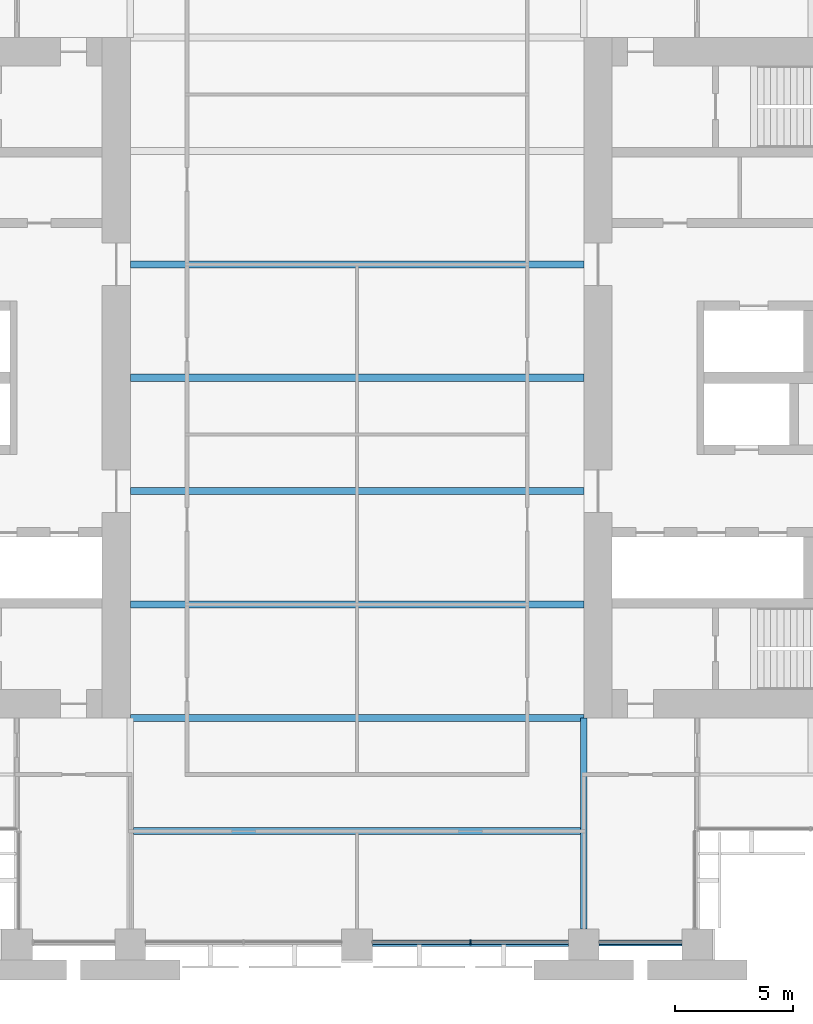
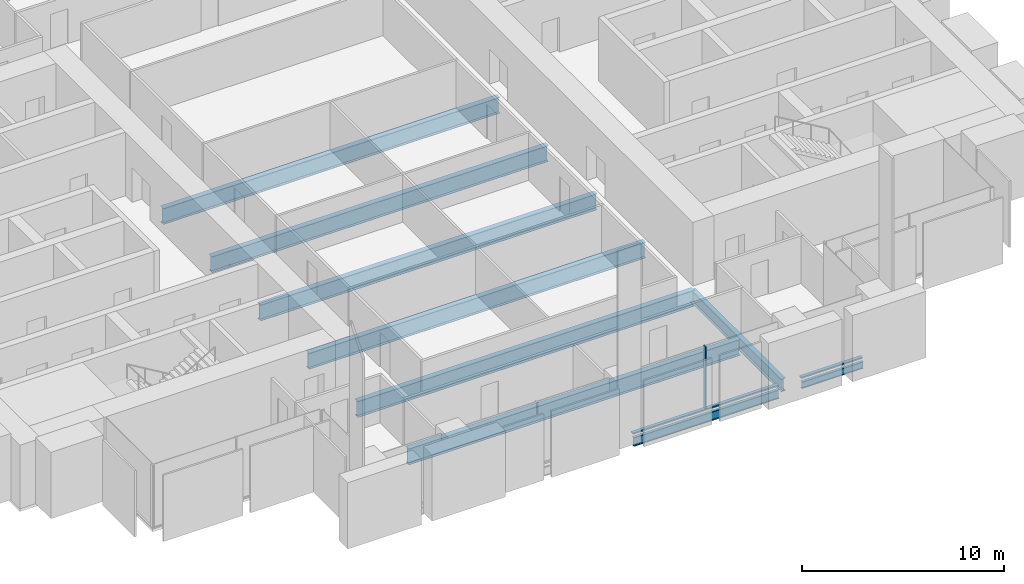
# One storey, part 3 of 14: 9 beams, 3 members, 1 element without a shape of its own.
"""IFC4 building model written with IfcOpenShell, lengths in metres."""

from ifc_helpers import new_model, si_unit, direction, frame, origin, origin_2d, place, context, subcontext, project, spatial, rectangle, i_section, extrude, material, material_profile, profile_set, type_object, element, aggregate, save


model = new_model("IFC4")

# Units and contexts
model_context = context("Model", 3, precision=1e-05, world=origin(), true_north=direction((0.0, 1.0)))
body_context = subcontext(model_context, "Body", "Model", "MODEL_VIEW")
ifc_project = project(units=[si_unit("LENGTHUNIT", "METRE"), si_unit("AREAUNIT", "SQUARE_METRE"), si_unit("VOLUMEUNIT", "CUBIC_METRE"), si_unit("PLANEANGLEUNIT", "RADIAN"), si_unit("MASSUNIT", "GRAM", prefix="KILO")], contexts=[model_context])

# Site, building, storey
site_placement = place(None, origin())
site = spatial("IfcSite", under=ifc_project, at=site_placement, CompositionType="ELEMENT")
building_placement = place(site_placement, origin())
building = spatial("IfcBuilding", under=site, at=building_placement, Name="Baori Bourse Tower", CompositionType="ELEMENT")
storey_placement = place(building_placement, frame((0.0, 0.0, 75.0)))
storey = spatial("IfcBuildingStorey", under=building, at=storey_placement, Name="L16", CompositionType="ELEMENT", Elevation=75.0)

# Curtain wall, members
ifc_material_1 = material(Name="Pale anodised aluminium", Category="aluminium")
curtain_wall_type = type_object("IfcCurtainWallType", Name="CW1 Curtain wall", PredefinedType="NOTDEFINED", material=ifc_material_1)
curtain_wall_placement = place(storey_placement, origin())
curtain_wall = element("IfcCurtainWall", 1, at=curtain_wall_placement, inside=storey, type_object=curtain_wall_type, Name="Curtain wall CW1 L16 11", PredefinedType="NOTDEFINED")
ifc_material_2 = material(Name="Pale anodised aluminium", Category="aluminium")
ifc_material_profile_1 = material_profile(ifc_material_2, rectangle(XDim=0.199951171875, YDim=0.06005859375, at=origin_2d()), Name="Mullion 60x200")
ifc_profile_set_1 = profile_set([ifc_material_profile_1], Name="Pale anodised aluminium")
member_type_1 = type_object("IfcMemberType", Name="CW1 Curtain wall mullion", PredefinedType="MULLION", material=ifc_profile_set_1)
member_1_placement = place(storey_placement, frame((33.60009765625, 0.10009765625, 0.080078125), z_axis=(0.0, 0.0, 1.0), x_axis=(0.0, 1.0, 0.0)))
member_1 = element("IfcMember", 2, at=member_1_placement, type_object=member_type_1, Name="Curtain wall CW1 mullion", PredefinedType="MULLION", context=body_context, shape_type="SweptSolid", body=[
    extrude(rectangle(XDim=0.199951171875, YDim=0.06005859375, at=origin_2d()), origin(), (0.0, 0.0, 1.0), 3.760009765625),
])
ifc_material_3 = material(Name="Pale anodised aluminium", Category="aluminium")
ifc_material_profile_2 = material_profile(ifc_material_3, rectangle(XDim=0.199951171875, YDim=0.080078125, at=origin_2d()), Name="Transom 80x200")
ifc_profile_set_2 = profile_set([ifc_material_profile_2], Name="Pale anodised aluminium")
member_type_2 = type_object("IfcMemberType", Name="CW1 Curtain wall transom", PredefinedType="USERDEFINED", material=ifc_profile_set_2)
member_2_placement = place(storey_placement, frame((29.449951171875, 0.10009765625, 0.0400390625), z_axis=(1.0, 0.0, 0.0), x_axis=(0.0, 1.0, 0.0)))
member_2 = element("IfcMember", 3, at=member_2_placement, type_object=member_type_2, Name="Curtain wall CW1 sill rail", ObjectType="TRANSOM", PredefinedType="USERDEFINED", context=body_context, shape_type="SweptSolid", body=[
    extrude(rectangle(XDim=0.199951171875, YDim=0.080078125, at=origin_2d()), origin(), (0.0, 0.0, 1.0), 8.300048828125),
])
member_3_placement = place(storey_placement, frame((39.050048828125, 0.10009765625, 0.0400390625), z_axis=(1.0, 0.0, 0.0), x_axis=(0.0, 1.0, 0.0)))
member_3 = element("IfcMember", 4, at=member_3_placement, type_object=member_type_2, Name="Curtain wall CW1 sill rail", ObjectType="TRANSOM", PredefinedType="USERDEFINED", context=body_context, shape_type="SweptSolid", body=[
    extrude(rectangle(XDim=0.199951171875, YDim=0.080078125, at=origin_2d()), origin(), (0.0, 0.0, 1.0), 3.5),
])
aggregate(curtain_wall, [member_2, member_1, member_3])

# Beams
ifc_material_4 = material(Name="Steel A992 Gr 50", Category="steel")
ifc_material_profile_3 = material_profile(ifc_material_4, i_section(OverallWidth=0.140380859375, OverallDepth=0.40380859375, WebThickness=0.007080078125, FlangeThickness=0.01123046875, at=origin_2d()), Name="W16x31")
ifc_profile_set_3 = profile_set([ifc_material_profile_3], Name="Steel A992 Gr 50")
beam_type_1 = type_object("IfcBeamType", Name="Edge beam W16x31", PredefinedType="BEAM", material=ifc_profile_set_3)
beam_1_placement = place(storey_placement, frame((39.050048828125, 0.0, -0.36181640625), z_axis=(1.0, 0.0, 0.0), x_axis=(0.0, 1.0, 0.0)))
element("IfcBeam", 5, at=beam_1_placement, inside=storey, type_object=beam_type_1, Name="Edge beam L16", PredefinedType="BEAM", context=body_context, shape_type="SweptSolid", body=[
    extrude(i_section(OverallWidth=0.140380859375, OverallDepth=0.40380859375, WebThickness=0.007080078125, FlangeThickness=0.01123046875, at=origin_2d()), origin(), (0.0, 0.0, 1.0), 3.5),
])
ifc_material_5 = material(Name="Steel A992 Gr 50", Category="steel")
ifc_material_profile_4 = material_profile(ifc_material_5, i_section(OverallWidth=0.1650390625, OverallDepth=0.52587890625, WebThickness=0.0087890625, FlangeThickness=0.011474609375, at=origin_2d()), Name="W21x44")
ifc_profile_set_4 = profile_set([ifc_material_profile_4], Name="Steel A992 Gr 50")
beam_type_2 = type_object("IfcBeamType", Name="Edge beam W21x44", PredefinedType="BEAM", material=ifc_profile_set_4)
beam_2_placement = place(storey_placement, frame((29.449951171875, 0.0, -0.4228515625), z_axis=(1.0, 0.0, 0.0), x_axis=(0.0, 1.0, 0.0)))
element("IfcBeam", 6, at=beam_2_placement, inside=storey, type_object=beam_type_2, Name="Edge beam L16", PredefinedType="BEAM", context=body_context, shape_type="SweptSolid", body=[
    extrude(i_section(OverallWidth=0.1650390625, OverallDepth=0.52587890625, WebThickness=0.0087890625, FlangeThickness=0.011474609375, at=origin_2d()), origin(), (0.0, 0.0, 1.0), 8.300048828125),
])
ifc_material_6 = material(Name="Steel A992 Gr 50", Category="steel")
ifc_material_profile_5 = material_profile(ifc_material_6, i_section(OverallWidth=0.2998046875, OverallDepth=0.97021484375, WebThickness=0.01611328125, FlangeThickness=0.02099609375, at=origin_2d()), Name="W40x149")
ifc_profile_set_5 = profile_set([ifc_material_profile_5], Name="Steel A992 Gr 50")
beam_type_3 = type_object("IfcBeamType", Name="Floor beam W40x149", PredefinedType="BEAM", material=ifc_profile_set_5)
beam_3_placement = place(storey_placement, frame((19.333251953125, 4.800048828125, -0.64501953125), z_axis=(1.0, 0.0, 0.0), x_axis=(0.0, 1.0, 0.0)))
element("IfcBeam", 7, at=beam_3_placement, inside=storey, type_object=beam_type_3, Name="Floor beam L16", PredefinedType="BEAM", context=body_context, shape_type="SweptSolid", body=[
    extrude(i_section(OverallWidth=0.2998046875, OverallDepth=0.97021484375, WebThickness=0.01611328125, FlangeThickness=0.02099609375, at=origin_2d()), origin(), (0.0, 0.0, 1.0), 18.933349609375),
])
for number, where, z_axis, x_axis, name in (
    (8, (19.199951171875, 9.60009765625, -0.64501953125), (1.0, 0.0, 0.0), (0.0, 1.0, 0.0), "Floor beam L16"),
    (9, (19.199951171875, 14.39990234375, -0.64501953125), (1.0, 0.0, 0.0), (0.0, 1.0, 0.0), "Floor beam L16"),
    (10, (19.199951171875, 19.199951171875, -0.64501953125), (1.0, 0.0, 0.0), (0.0, 1.0, 0.0), "Floor beam L16"),
    (11, (19.199951171875, 24.0, -0.64501953125), (1.0, 0.0, 0.0), (0.0, 1.0, 0.0), "Floor beam L16"),
    (12, (19.199951171875, 28.800048828125, -0.64501953125), (1.0, 0.0, 0.0), (0.0, 1.0, 0.0), "Floor beam L16"),
):
    element("IfcBeam", number, at=place(storey_placement, frame(where, z_axis=z_axis, x_axis=x_axis)), inside=storey, type_object=beam_type_3, Name=name, PredefinedType="BEAM", context=body_context, shape_type="SweptSolid", body=[
        extrude(i_section(OverallWidth=0.2998046875, OverallDepth=0.97021484375, WebThickness=0.01611328125, FlangeThickness=0.02099609375, at=origin_2d()), origin(), (0.0, 0.0, 1.0), 19.199951171875),
    ])
ifc_material_7 = material(Name="Steel A992 Gr 50", Category="steel")
ifc_material_profile_6 = material_profile(ifc_material_7, i_section(OverallWidth=0.2666015625, OverallDepth=0.7568359375, WebThickness=0.013916015625, FlangeThickness=0.019287109375, at=origin_2d()), Name="W30x108")
ifc_profile_set_6 = profile_set([ifc_material_profile_6], Name="Steel A992 Gr 50")
beam_type_4 = type_object("IfcBeamType", Name="Girder W30x108", PredefinedType="BEAM", material=ifc_profile_set_6)
beam_4_placement = place(storey_placement, frame((38.39990234375, 0.64990234375, -0.53857421875), z_axis=(0.0, 1.0, 0.0), x_axis=(-1.0, 0.0, 0.0)))
element("IfcBeam", 13, at=beam_4_placement, inside=storey, type_object=beam_type_4, Name="Girder L16", PredefinedType="BEAM", context=body_context, shape_type="SweptSolid", body=[
    extrude(i_section(OverallWidth=0.2666015625, OverallDepth=0.7568359375, WebThickness=0.013916015625, FlangeThickness=0.019287109375, at=origin_2d()), origin(), (0.0, 0.0, 1.0), 8.9501953125),
])

save(model, "model.ifc")
